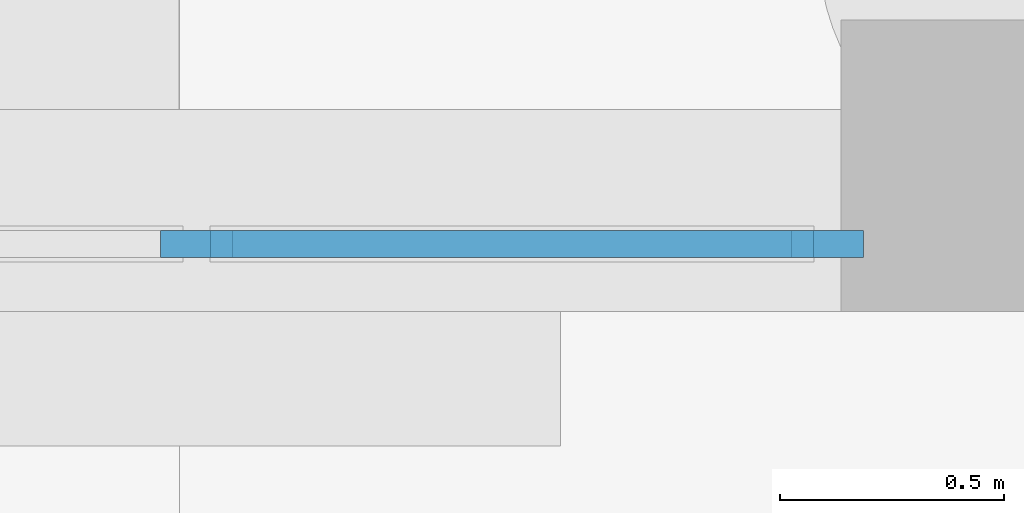
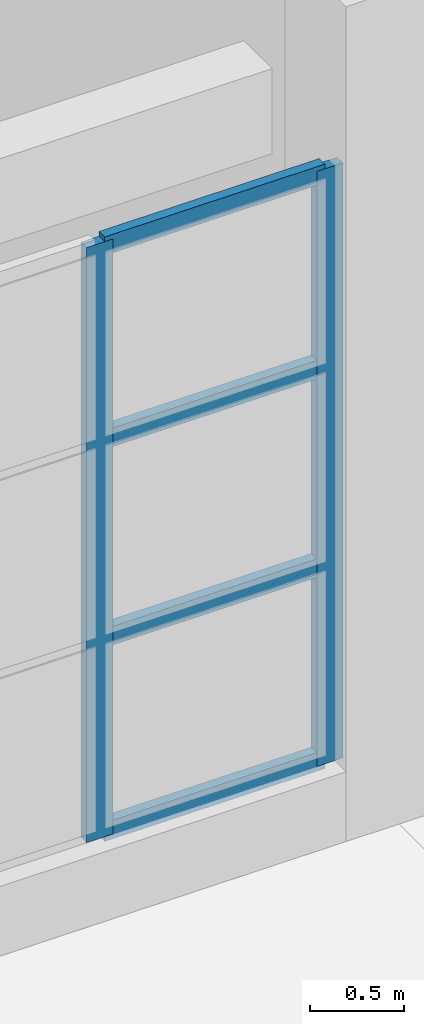
# One storey, part 28 of 80: 6 members, 1 element without a shape of its own.
"""IFC4 building model written with IfcOpenShell, lengths in metres."""

from ifc_helpers import new_model, si_unit, direction, frame, origin, origin_2d, place, context, subcontext, project, spatial, rectangle, extrude, material, layer, layer_set, material_profile, profile_set, type_object, element, aggregate, save


model = new_model("IFC4")

# Units and contexts
model_context = context("Model", 3, precision=1e-05, world=origin(), true_north=direction((0.0, 1.0)))
body_context = subcontext(model_context, "Body", "Model", "MODEL_VIEW")
ifc_project = project(units=[si_unit("LENGTHUNIT", "METRE"), si_unit("AREAUNIT", "SQUARE_METRE"), si_unit("VOLUMEUNIT", "CUBIC_METRE"), si_unit("PLANEANGLEUNIT", "RADIAN"), si_unit("MASSUNIT", "GRAM", prefix="KILO")], contexts=[model_context])

# Site, building, storey
site_placement = place(None, origin())
site = spatial("IfcSite", under=ifc_project, at=site_placement, CompositionType="ELEMENT")
building_placement = place(site_placement, origin())
building = spatial("IfcBuilding", under=site, at=building_placement, Name="Ussher Court Research Institute", CompositionType="ELEMENT")
storey_placement = place(building_placement, origin())
storey = spatial("IfcBuildingStorey", under=building, at=storey_placement, Name="L00", CompositionType="ELEMENT", Elevation=0.0)

# Curtain wall, members
ifc_material_1 = material(Name="Bronze anodised aluminium with insulated glass", Category="aluminium")
ifc_layer = layer(ifc_material_1, 0.1201171875)
ifc_layer_set = layer_set([ifc_layer], Name="Bronze anodised aluminium with insulated glass")
curtain_wall_type = type_object("IfcCurtainWallType", Name="Curtain wall clean-room lobby glazing", PredefinedType="NOTDEFINED", material=ifc_layer_set)
curtain_wall_placement = place(storey_placement, origin())
curtain_wall = element("IfcCurtainWall", 1, at=curtain_wall_placement, inside=storey, type_object=curtain_wall_type, Name="Curtain wall CW8 L00", PredefinedType="NOTDEFINED")
ifc_material_2 = material(Name="Bronze anodised aluminium", Category="aluminium")
ifc_material_profile_1 = material_profile(ifc_material_2, rectangle(XDim=0.06005859375, YDim=0.159912109375, at=origin_2d()), Name="Mullion 60x160")
ifc_profile_set_1 = profile_set([ifc_material_profile_1], Name="Bronze anodised aluminium")
member_type_1 = type_object("IfcMemberType", Name="Mullion 60x160", PredefinedType="MULLION", material=ifc_profile_set_1)
member_1_placement = place(storey_placement, frame((96.2451171875, 68.550048828125, 0.449951171875), z_axis=(0.0, 0.0, 1.0), x_axis=(0.0, -1.0, 0.0)))
member_1 = element("IfcMember", 2, at=member_1_placement, type_object=member_type_1, Name="CW8 mullion 1", PredefinedType="MULLION", context=body_context, shape_type="SweptSolid", body=[
    extrude(rectangle(XDim=0.06005859375, YDim=0.159912109375, at=origin_2d()), origin(), (0.0, 0.0, 1.0), 3.85009765625),
])
member_2_placement = place(storey_placement, frame((94.83740234375, 68.550048828125, 0.449951171875), z_axis=(0.0, 0.0, 1.0), x_axis=(0.0, -1.0, 0.0)))
member_2 = element("IfcMember", 3, at=member_2_placement, type_object=member_type_1, Name="CW8 mullion 2", PredefinedType="MULLION", context=body_context, shape_type="SweptSolid", body=[
    extrude(rectangle(XDim=0.06005859375, YDim=0.159912109375, at=origin_2d()), origin(), (0.0, 0.0, 1.0), 3.85009765625),
])
ifc_material_3 = material(Name="Bronze anodised aluminium", Category="aluminium")
ifc_material_profile_2 = material_profile(ifc_material_3, rectangle(XDim=0.06005859375, YDim=0.1201171875, at=origin_2d()), Name="Transom 60x120")
ifc_profile_set_2 = profile_set([ifc_material_profile_2], Name="Bronze anodised aluminium")
member_type_2 = type_object("IfcMemberType", Name="Transom 60x120", PredefinedType="USERDEFINED", material=ifc_profile_set_2)
member_3_placement = place(storey_placement, frame((96.215087890625, 68.550048828125, 0.47998046875), z_axis=(-1.0, 0.0, 0.0), x_axis=(0.0, -1.0, 0.0)))
member_3 = element("IfcMember", 4, at=member_3_placement, type_object=member_type_2, Name="CW8 transom 1.1", ObjectType="TRANSOM", PredefinedType="USERDEFINED", context=body_context, shape_type="SweptSolid", body=[
    extrude(rectangle(XDim=0.06005859375, YDim=0.1201171875, at=origin_2d()), origin(), (0.0, 0.0, 1.0), 1.34765625),
])
member_4_placement = place(storey_placement, frame((96.215087890625, 68.550048828125, 1.7333984375), z_axis=(-1.0, 0.0, 0.0), x_axis=(0.0, -1.0, 0.0)))
member_4 = element("IfcMember", 5, at=member_4_placement, type_object=member_type_2, Name="CW8 transom 1.2", ObjectType="TRANSOM", PredefinedType="USERDEFINED", context=body_context, shape_type="SweptSolid", body=[
    extrude(rectangle(XDim=0.06005859375, YDim=0.1201171875, at=origin_2d()), origin(), (0.0, 0.0, 1.0), 1.34765625),
])
member_5_placement = place(storey_placement, frame((96.215087890625, 68.550048828125, 3.0166015625), z_axis=(-1.0, 0.0, 0.0), x_axis=(0.0, -1.0, 0.0)))
member_5 = element("IfcMember", 6, at=member_5_placement, type_object=member_type_2, Name="CW8 transom 1.3", ObjectType="TRANSOM", PredefinedType="USERDEFINED", context=body_context, shape_type="SweptSolid", body=[
    extrude(rectangle(XDim=0.06005859375, YDim=0.1201171875, at=origin_2d()), origin(), (0.0, 0.0, 1.0), 1.34765625),
])
member_6_placement = place(storey_placement, frame((96.215087890625, 68.550048828125, 4.27001953125), z_axis=(-1.0, 0.0, 0.0), x_axis=(0.0, -1.0, 0.0)))
member_6 = element("IfcMember", 7, at=member_6_placement, type_object=member_type_2, Name="CW8 transom 1.4", ObjectType="TRANSOM", PredefinedType="USERDEFINED", context=body_context, shape_type="SweptSolid", body=[
    extrude(rectangle(XDim=0.06005859375, YDim=0.1201171875, at=origin_2d()), origin(), (0.0, 0.0, 1.0), 1.34765625),
])
aggregate(curtain_wall, [member_1, member_2, member_3, member_4, member_5, member_6])

save(model, "model.ifc")
